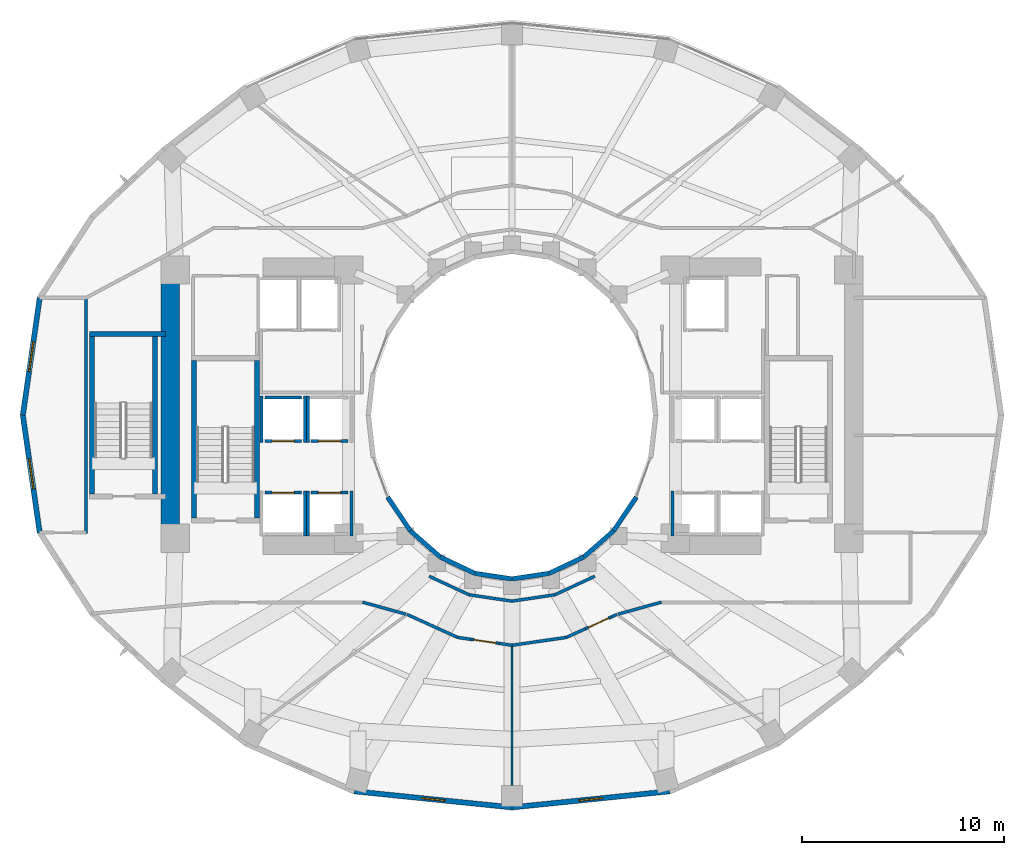
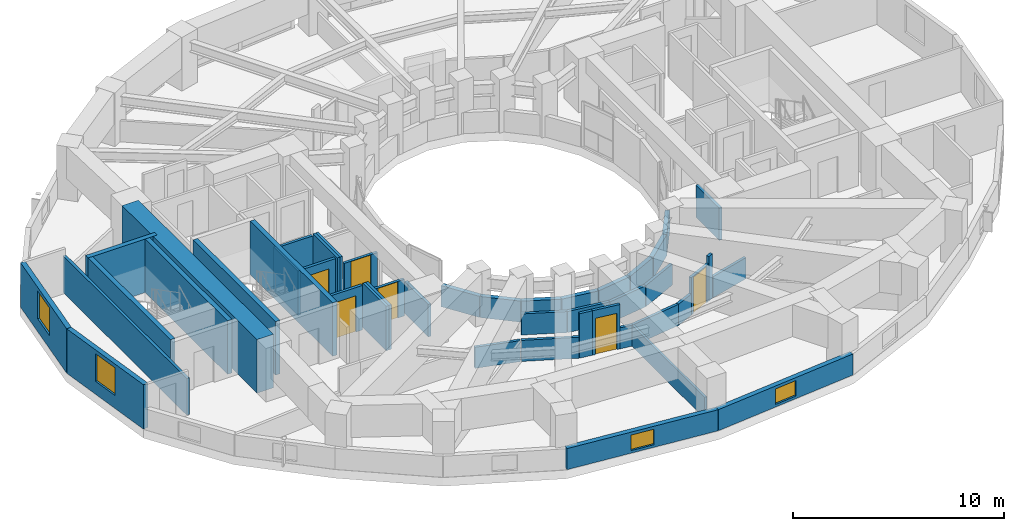
# One storey, part 12 of 19: 46 walls, 6 doors, 4 windows, 10 openings.
"""IFC4 building model written with IfcOpenShell, lengths in metres."""

from ifc_helpers import new_model, si_unit, direction, frame, frame_2d, origin, place, context, subcontext, project, spatial, rectangle, extrude, material, layer, layer_set, type_object, element, fill, save


model = new_model("IFC4")

# Units and contexts
model_context = context("Model", 3, precision=1e-05, world=origin(), true_north=direction((0.0, 1.0)))
body_context = subcontext(model_context, "Body", "Model", "MODEL_VIEW")
ifc_project = project(units=[si_unit("LENGTHUNIT", "METRE"), si_unit("AREAUNIT", "SQUARE_METRE"), si_unit("VOLUMEUNIT", "CUBIC_METRE"), si_unit("PLANEANGLEUNIT", "RADIAN"), si_unit("MASSUNIT", "GRAM", prefix="KILO")], contexts=[model_context])

# Site, building, storey
site_placement = place(None, origin())
site = spatial("IfcSite", under=ifc_project, at=site_placement, CompositionType="ELEMENT")
building_placement = place(site_placement, origin())
building = spatial("IfcBuilding", under=site, at=building_placement, Name="Solvane Sanctuary Tower", CompositionType="ELEMENT")
storey_placement = place(building_placement, frame((0.0, 0.0, 73.199951171875)))
storey = spatial("IfcBuildingStorey", under=building, at=storey_placement, Name="L21", CompositionType="ELEMENT", Elevation=73.199951171875)

# Walls
ifc_material_1 = material(Name="Concrete C70/85", Category="concrete")
ifc_layer_1 = layer(ifc_material_1, 0.89990234375, Name="Concrete C70/85")
ifc_layer_set_1 = layer_set([ifc_layer_1], Name="Concrete C70/85")
wall_type_1 = type_object("IfcWallType", Name="Wall W-CORE-900", PredefinedType="SHEAR", material=ifc_layer_set_1)
wall_1_placement = place(storey_placement, frame((15.050048828125, 17.050048828125, 0.0), z_axis=(0.0, 0.0, 1.0), x_axis=(0.0, 1.0, 0.0)))
element("IfcWall", 1, at=wall_1_placement, inside=storey, type_object=wall_type_1, Name="L21 Core Shear Wall WC-W", PredefinedType="SHEAR", context=body_context, shape_type="SweptSolid", body=[
    extrude(rectangle(XDim=12.800048828125, YDim=0.89990234375, at=frame_2d((6.39990234375, 0.0))), origin(), (0.0, 0.0, 1.0), 3.10009765625),
])
ifc_material_2 = material(Name="Acoustic Gypsum Partition Board")
ifc_layer_2 = layer(ifc_material_2, 0.14990234375, Name="Acoustic Gypsum Partition Board")
ifc_layer_set_2 = layer_set([ifc_layer_2], Name="Acoustic Gypsum Partition Board")
wall_type_2 = type_object("IfcWallType", Name="Wall W-CORR-150", PredefinedType="PARTITIONING", material=ifc_layer_set_2)
wall_2_placement = place(storey_placement, frame((27.889892578125, 15.01513671875, 0.0), z_axis=(0.0, 0.0, 1.0), x_axis=(0.906943449489, -0.421252393975, 0.0)))
element("IfcWall", 2, at=wall_2_placement, inside=storey, type_object=wall_type_2, Name="L21 Light-Well Corridor Rim Wall S1", PredefinedType="PARTITIONING", context=body_context, shape_type="SweptSolid", body=[
    extrude(rectangle(XDim=2.18603515625, YDim=0.14990234375, at=frame_2d((1.093017578125, 0.0))), origin(), (0.0, 0.0, 1.0), 1.219970703125),
])
for number, where, z_axis, x_axis, name in (
    (3, (29.87255859375, 14.09423828125, 0.0), (0.0, 0.0, 1.0), (0.989268584896, -0.146108408166, 0.0), "L21 Light-Well Corridor Rim Wall S2"),
    (4, (32.0, 13.780029296875, 0.0), (0.0, 0.0, 1.0), (0.989268584896, 0.146108408166, 0.0), "L21 Light-Well Corridor Rim Wall S3"),
):
    element("IfcWall", number, at=place(storey_placement, frame(where, z_axis=z_axis, x_axis=x_axis)), inside=storey, type_object=wall_type_2, Name=name, PredefinedType="PARTITIONING", context=body_context, shape_type="SweptSolid", body=[
        extrude(rectangle(XDim=2.150634765625, YDim=0.14990234375, at=frame_2d((1.0751953125, 0.0))), origin(), (0.0, 0.0, 1.0), 1.219970703125),
    ])
wall_3_placement = place(storey_placement, frame((34.12744140625, 14.09423828125, 0.0), z_axis=(0.0, 0.0, 1.0), x_axis=(0.906943449489, 0.421252393975, 0.0)))
element("IfcWall", 5, at=wall_3_placement, inside=storey, type_object=wall_type_2, Name="L21 Light-Well Corridor Rim Wall S4", PredefinedType="PARTITIONING", context=body_context, shape_type="SweptSolid", body=[
    extrude(rectangle(XDim=2.18603515625, YDim=0.14990234375, at=frame_2d((1.093017578125, 0.0))), origin(), (0.0, 0.0, 1.0), 1.219970703125),
])
wall_4_placement = place(storey_placement, frame((10.8798828125, 17.134765625, 0.0), z_axis=(0.0, 0.0, 1.0), x_axis=(0.0, 1.0, 0.0)))
element("IfcWall", 6, at=wall_4_placement, inside=storey, type_object=wall_type_2, Name="L21 West Shoulder Back Wall", PredefinedType="PARTITIONING", context=body_context, shape_type="SweptSolid", body=[
    extrude(rectangle(XDim=11.73046875, YDim=0.14990234375, at=frame_2d((5.865234375, 0.0))), origin(), (0.0, 0.0, 1.0), 2.1201171875),
])
for number, where, z_axis, x_axis, name in (
    (7, (26.741943359375, 13.13330078125, 0.0), (0.0, 0.0, 1.0), (-0.963833843713, 0.266503886865, 0.0), "L21 SW Corner Throat Wall"),
    (8, (37.258056640625, 13.13330078125, 0.0), (0.0, 0.0, 1.0), (0.963833843713, 0.266503886865, 0.0), "L21 SE Corner Throat Wall"),
):
    element("IfcWall", number, at=place(storey_placement, frame(where, z_axis=z_axis, x_axis=x_axis)), inside=storey, type_object=wall_type_2, Name=name, PredefinedType="PARTITIONING", context=body_context, shape_type="SweptSolid", body=[
        extrude(rectangle(XDim=2.231689453125, YDim=0.14990234375, at=frame_2d((1.11572265625, 0.0))), origin(), (0.0, 0.0, 1.0), 1.219970703125),
    ])
wall_5_placement = place(storey_placement, frame((26.788818359375, 13.12255859375, 0.0), z_axis=(0.0, 0.0, 1.0), x_axis=(0.910435980343, -0.413650003865, 0.0)))
element("IfcWall", 9, at=wall_5_placement, inside=storey, type_object=wall_type_2, Name="L21 Sky Promenade Corridor Wall S1", PredefinedType="PARTITIONING", context=body_context, shape_type="SweptSolid", body=[
    extrude(rectangle(XDim=2.766357421875, YDim=0.14990234375, at=frame_2d((1.38330078125, 0.0))), origin(), (0.0, 0.0, 1.0), 1.219970703125),
])
wall_6_placement = place(storey_placement, frame((29.303955078125, 11.979248046875, 0.0), z_axis=(0.0, 0.0, 1.0), x_axis=(0.989829975321, -0.142255474256, 0.0)))
element("IfcWall", 10, at=wall_6_placement, inside=storey, type_object=wall_type_2, Name="L21 Sky Promenade Corridor Wall S1", PredefinedType="PARTITIONING", context=body_context, shape_type="SweptSolid", body=[
    extrude(rectangle(XDim=0.655517578125, YDim=0.14990234375, at=frame_2d((0.32763671875, 0.0))), origin(), (0.0, 0.0, 1.0), 2.574951171875),
])

# Wall, opening, door
wall_7_placement = place(storey_placement, frame((29.952880859375, 11.885986328125, 0.0), z_axis=(0.0, 0.0, 1.0), x_axis=(0.98979070052, -0.142528485449, 0.0)))
wall_7 = element("IfcWall", 11, at=wall_7_placement, inside=storey, type_object=wall_type_2, Name="L21 Sky Promenade Corridor Wall S1", PredefinedType="PARTITIONING", context=body_context, shape_type="SweptSolid", body=[
    extrude(rectangle(XDim=1.419921875, YDim=0.14990234375, at=frame_2d((0.7099609375, 0.0))), origin(), (0.0, 0.0, 1.0), 2.574951171875),
])
opening_1_placement = place(wall_7_placement, frame((0.159912109375, 0.0, 0.0)))
opening_1 = element("IfcOpeningElement", 12, at=opening_1_placement, cuts=wall_7, Name="Opening D-L21-18", PredefinedType="OPENING", context=body_context, shape_type="SweptSolid", body=[
    extrude(rectangle(XDim=1.10009765625, YDim=2.10009765625, at=frame_2d((0.550048828125, 1.050048828125))), frame((0.0, 0.0849609375, 0.0), z_axis=(0.0, -1.0, 0.0), x_axis=(1.0, 0.0, 0.0)), (0.0, 0.0, 1.0), 0.169921875),
])
ifc_material_3 = material(Name="Architectural Stainless Steel 316", Category="steel")
door_type_1 = type_object("IfcDoorType", Name="Door D-FFL", OperationType="NOTDEFINED", PredefinedType="DOOR", material=ifc_material_3)
door_1_placement = place(opening_1_placement, origin())
door_1 = element("IfcDoor", 13, at=door_1_placement, inside=storey, type_object=door_type_1, Name="L21 Sky Hall Entrance Door S1", OperationType="SINGLE_SWING_LEFT", OverallHeight=2.10009765625, OverallWidth=1.10009765625, PredefinedType="DOOR", context=body_context, shape_type="SweptSolid", body=[
    extrude(rectangle(XDim=1.10009765625, YDim=2.10009765625, at=frame_2d((0.550048828125, 1.050048828125))), frame((0.0, 0.02490234375, 0.0), z_axis=(0.0, -1.0, 0.0), x_axis=(1.0, 0.0, 0.0)), (0.0, 0.0, 1.0), 0.050048828125),
])
fill(opening_1, door_1)

# Walls
wall_8_placement = place(storey_placement, frame((31.3583984375, 11.68359375, 0.0), z_axis=(0.0, 0.0, 1.0), x_axis=(0.989777474181, -0.142620305723, 0.0)))
element("IfcWall", 14, at=wall_8_placement, inside=storey, type_object=wall_type_2, Name="L21 Sky Promenade Corridor Wall S1", PredefinedType="PARTITIONING", context=body_context, shape_type="SweptSolid", body=[
    extrude(rectangle(XDim=0.655517578125, YDim=0.14990234375, at=frame_2d((0.32763671875, 0.0))), origin(), (0.0, 0.0, 1.0), 1.219970703125),
])
wall_9_placement = place(storey_placement, frame((31.99267578125, 11.590087890625, 0.0), z_axis=(0.0, 0.0, 1.0), x_axis=(0.989796962007, 0.142484995705, 0.0)))
element("IfcWall", 15, at=wall_9_placement, inside=storey, type_object=wall_type_2, Name="L21 Sky Promenade Corridor Wall S2", PredefinedType="PARTITIONING", context=body_context, shape_type="SweptSolid", body=[
    extrude(rectangle(XDim=2.731201171875, YDim=0.14990234375, at=frame_2d((1.36572265625, 0.0))), origin(), (0.0, 0.0, 1.0), 1.219970703125),
])
wall_10_placement = place(storey_placement, frame((34.692626953125, 11.978271484375, 0.0), z_axis=(0.0, 0.0, 1.0), x_axis=(0.910454535794, 0.413609161228, 0.0)))
element("IfcWall", 16, at=wall_10_placement, inside=storey, type_object=wall_type_2, Name="L21 Sky Promenade Corridor Wall S2", PredefinedType="PARTITIONING", context=body_context, shape_type="SweptSolid", body=[
    extrude(rectangle(XDim=1.044189453125, YDim=0.14990234375, at=frame_2d((0.52197265625, 0.0))), origin(), (0.0, 0.0, 1.0), 1.219970703125),
])

# Wall, opening, door
wall_11_placement = place(storey_placement, frame((35.643310546875, 12.41015625, 0.0), z_axis=(0.0, 0.0, 1.0), x_axis=(0.910419465037, 0.413686351819, 0.0)))
wall_11 = element("IfcWall", 17, at=wall_11_placement, inside=storey, type_object=wall_type_2, Name="L21 Sky Promenade Corridor Wall S2", PredefinedType="PARTITIONING", context=body_context, shape_type="SweptSolid", body=[
    extrude(rectangle(XDim=1.419921875, YDim=0.14990234375, at=frame_2d((0.7099609375, 0.0))), origin(), (0.0, 0.0, 1.0), 2.16015625),
])
opening_2_placement = place(wall_11_placement, frame((0.159912109375, 0.0, 0.0)))
opening_2 = element("IfcOpeningElement", 18, at=opening_2_placement, cuts=wall_11, Name="Opening D-L21-19", PredefinedType="OPENING", context=body_context, shape_type="SweptSolid", body=[
    extrude(rectangle(XDim=1.10009765625, YDim=2.10009765625, at=frame_2d((0.550048828125, 1.050048828125))), frame((0.0, 0.0849609375, 0.0), z_axis=(0.0, -1.0, 0.0), x_axis=(1.0, 0.0, 0.0)), (0.0, 0.0, 1.0), 0.169921875),
])
door_2_placement = place(opening_2_placement, origin())
door_2 = element("IfcDoor", 19, at=door_2_placement, inside=storey, type_object=door_type_1, Name="L21 Sky Hall Entrance Door S2", OperationType="SINGLE_SWING_RIGHT", OverallHeight=2.10009765625, OverallWidth=1.10009765625, PredefinedType="DOOR", context=body_context, shape_type="SweptSolid", body=[
    extrude(rectangle(XDim=1.10009765625, YDim=2.10009765625, at=frame_2d((0.550048828125, 1.050048828125))), frame((0.0, 0.02490234375, 0.0), z_axis=(0.0, -1.0, 0.0), x_axis=(1.0, 0.0, 0.0)), (0.0, 0.0, 1.0), 0.050048828125),
])
fill(opening_2, door_2)

# Wall
wall_12_placement = place(storey_placement, frame((36.93603515625, 12.99755859375, 0.0), z_axis=(0.0, 0.0, 1.0), x_axis=(0.910449457667, 0.413620339242, 0.0)))
element("IfcWall", 20, at=wall_12_placement, inside=storey, type_object=wall_type_2, Name="L21 Sky Promenade Corridor Wall S2", PredefinedType="PARTITIONING", context=body_context, shape_type="SweptSolid", body=[
    extrude(rectangle(XDim=0.30224609375, YDim=0.14990234375, at=frame_2d((0.151123046875, 0.0))), origin(), (0.0, 0.0, 1.0), 2.574951171875),
])

# Wall, opening, window
ifc_material_4 = material(Name="Precast concrete C40/50", Category="concrete")
ifc_layer_3 = layer(ifc_material_4, 0.260009765625, Name="Precast concrete C40/50")
ifc_layer_set_3 = layer_set([ifc_layer_3], Name="Precast concrete C40/50")
wall_type_3 = type_object("IfcWallType", Name="Wall W-EXT-250", PredefinedType="STANDARD", material=ifc_layer_set_3)
wall_13_placement = place(storey_placement, frame((8.578125, 28.818603515625, 0.0), z_axis=(0.0, 0.0, 1.0), x_axis=(-0.142572472068, -0.98978436551, 0.0)))
wall_13 = element("IfcWall", 21, at=wall_13_placement, inside=storey, type_object=wall_type_3, Name="L21 Ceramic-Printed Facade Wall 11", PredefinedType="STANDARD", context=body_context, shape_type="SweptSolid", body=[
    extrude(rectangle(XDim=5.878662109375, YDim=0.260009765625, at=frame_2d((2.939453125, 0.0))), origin(), (0.0, 0.0, 1.0), 2.570068359375),
])
opening_3_placement = place(wall_13_placement, frame((2.189453125, 0.0, 0.75)))
opening_3 = element("IfcOpeningElement", 22, at=opening_3_placement, cuts=wall_13, Name="Opening WN-OPER-1500", PredefinedType="OPENING", context=body_context, shape_type="SweptSolid", body=[
    extrude(rectangle(XDim=1.5, YDim=1.60009765625, at=frame_2d((0.75, 0.800048828125))), frame((0.0, 0.139892578125, 0.0), z_axis=(0.0, -1.0, 0.0), x_axis=(1.0, 0.0, 0.0)), (0.0, 0.0, 1.0), 0.280029296875),
])
ifc_material_5 = material(Name="Dark Ceramic-Fritted Low-E Glass", Category="glass")
window_type_1 = type_object("IfcWindowType", Name="Window WN-OPER-1500", PartitioningType="SINGLE_PANEL", PredefinedType="WINDOW", material=ifc_material_5)
window_1_placement = place(opening_3_placement, origin())
window_1 = element("IfcWindow", 23, at=window_1_placement, inside=storey, type_object=window_type_1, Name="L21 Operable Facade Window 11", OverallHeight=1.60009765625, OverallWidth=1.5, PartitioningType="SINGLE_PANEL", PredefinedType="WINDOW", context=body_context, shape_type="SweptSolid", body=[
    extrude(rectangle(XDim=1.5, YDim=1.60009765625, at=frame_2d((0.75, 0.800048828125))), frame((0.0, 0.030029296875, 0.0), z_axis=(0.0, -1.0, 0.0), x_axis=(1.0, 0.0, 0.0)), (0.0, 0.0, 1.0), 0.06005859375),
])
fill(opening_3, window_1)

wall_14_placement = place(storey_placement, frame((7.739990234375, 23.0, 0.0), z_axis=(0.0, 0.0, 1.0), x_axis=(0.142572472068, -0.98978436551, 0.0)))
wall_14 = element("IfcWall", 24, at=wall_14_placement, inside=storey, type_object=wall_type_3, Name="L21 Ceramic-Printed Facade Wall 12", PredefinedType="STANDARD", context=body_context, shape_type="SweptSolid", body=[
    extrude(rectangle(XDim=5.878662109375, YDim=0.260009765625, at=frame_2d((2.939453125, 0.0))), origin(), (0.0, 0.0, 1.0), 2.570068359375),
])
opening_4_placement = place(wall_14_placement, frame((2.189453125, 0.0, 0.75)))
opening_4 = element("IfcOpeningElement", 25, at=opening_4_placement, cuts=wall_14, Name="Opening WN-OPER-1500", PredefinedType="OPENING", context=body_context, shape_type="SweptSolid", body=[
    extrude(rectangle(XDim=1.5, YDim=1.60009765625, at=frame_2d((0.75, 0.800048828125))), frame((0.0, 0.139892578125, 0.0), z_axis=(0.0, -1.0, 0.0), x_axis=(1.0, 0.0, 0.0)), (0.0, 0.0, 1.0), 0.280029296875),
])
window_2_placement = place(opening_4_placement, origin())
window_2 = element("IfcWindow", 26, at=window_2_placement, inside=storey, type_object=window_type_1, Name="L21 Operable Facade Window 12", OverallHeight=1.60009765625, OverallWidth=1.5, PartitioningType="SINGLE_PANEL", PredefinedType="WINDOW", context=body_context, shape_type="SweptSolid", body=[
    extrude(rectangle(XDim=1.5, YDim=1.60009765625, at=frame_2d((0.75, 0.800048828125))), frame((0.0, 0.030029296875, 0.0), z_axis=(0.0, -1.0, 0.0), x_axis=(1.0, 0.0, 0.0)), (0.0, 0.0, 1.0), 0.06005859375),
])
fill(opening_4, window_2)

wall_15_placement = place(storey_placement, frame((24.18359375, 4.349365234375, 0.0), z_axis=(0.0, 0.0, 1.0), x_axis=(0.994821390558, -0.101638579726, 0.0)))
wall_15 = element("IfcWall", 27, at=wall_15_placement, inside=storey, type_object=wall_type_3, Name="L21 Ceramic-Printed Facade Wall 17", PredefinedType="STANDARD", context=body_context, shape_type="SweptSolid", body=[
    extrude(rectangle(XDim=7.857177734375, YDim=0.260009765625, at=frame_2d((3.9287109375, 0.0))), origin(), (0.0, 0.0, 1.0), 1.219970703125),
])
opening_5_placement = place(wall_15_placement, frame((3.32861328125, 0.0, 0.14990234375)))
opening_5 = element("IfcOpeningElement", 28, at=opening_5_placement, cuts=wall_15, Name="Opening WN-OPER-1200", PredefinedType="OPENING", context=body_context, shape_type="SweptSolid", body=[
    extrude(rectangle(XDim=1.199951171875, YDim=0.89990234375, at=frame_2d((0.60009765625, 0.449951171875))), frame((0.0, 0.139892578125, 0.0), z_axis=(0.0, -1.0, 0.0), x_axis=(1.0, 0.0, 0.0)), (0.0, 0.0, 1.0), 0.280029296875),
])
window_type_2 = type_object("IfcWindowType", Name="Window WN-OPER-1200", PartitioningType="SINGLE_PANEL", PredefinedType="WINDOW", material=ifc_material_5)
window_3_placement = place(opening_5_placement, origin())
window_3 = element("IfcWindow", 29, at=window_3_placement, inside=storey, type_object=window_type_2, Name="L21 Operable Facade Window 17", OverallHeight=0.89990234375, OverallWidth=1.199951171875, PartitioningType="SINGLE_PANEL", PredefinedType="WINDOW", context=body_context, shape_type="SweptSolid", body=[
    extrude(rectangle(XDim=1.199951171875, YDim=0.89990234375, at=frame_2d((0.60009765625, 0.449951171875))), frame((0.0, 0.030029296875, 0.0), z_axis=(0.0, -1.0, 0.0), x_axis=(1.0, 0.0, 0.0)), (0.0, 0.0, 1.0), 0.06005859375),
])
fill(opening_5, window_3)

wall_16_placement = place(storey_placement, frame((32.0, 3.55078125, 0.0), z_axis=(0.0, 0.0, 1.0), x_axis=(0.994821390558, 0.101638579726, 0.0)))
wall_16 = element("IfcWall", 30, at=wall_16_placement, inside=storey, type_object=wall_type_3, Name="L21 Ceramic-Printed Facade Wall 18", PredefinedType="STANDARD", context=body_context, shape_type="SweptSolid", body=[
    extrude(rectangle(XDim=7.857177734375, YDim=0.260009765625, at=frame_2d((3.9287109375, 0.0))), origin(), (0.0, 0.0, 1.0), 1.219970703125),
])
opening_6_placement = place(wall_16_placement, frame((3.32861328125, 0.0, 0.14990234375)))
opening_6 = element("IfcOpeningElement", 31, at=opening_6_placement, cuts=wall_16, Name="Opening WN-OPER-1200", PredefinedType="OPENING", context=body_context, shape_type="SweptSolid", body=[
    extrude(rectangle(XDim=1.199951171875, YDim=0.89990234375, at=frame_2d((0.60009765625, 0.449951171875))), frame((0.0, 0.139892578125, 0.0), z_axis=(0.0, -1.0, 0.0), x_axis=(1.0, 0.0, 0.0)), (0.0, 0.0, 1.0), 0.280029296875),
])
window_4_placement = place(opening_6_placement, origin())
window_4 = element("IfcWindow", 32, at=window_4_placement, inside=storey, type_object=window_type_2, Name="L21 Operable Facade Window 18", OverallHeight=0.89990234375, OverallWidth=1.199951171875, PartitioningType="SINGLE_PANEL", PredefinedType="WINDOW", context=body_context, shape_type="SweptSolid", body=[
    extrude(rectangle(XDim=1.199951171875, YDim=0.89990234375, at=frame_2d((0.60009765625, 0.449951171875))), frame((0.0, 0.030029296875, 0.0), z_axis=(0.0, -1.0, 0.0), x_axis=(1.0, 0.0, 0.0)), (0.0, 0.0, 1.0), 0.06005859375),
])
fill(opening_6, window_4)

# Walls
ifc_layer_4 = layer(ifc_material_4, 0.22998046875, Name="Precast concrete C40/50")
ifc_layer_set_4 = layer_set([ifc_layer_4], Name="Precast concrete C40/50")
wall_type_4 = type_object("IfcWallType", Name="Wall W-EXT-SP220", PredefinedType="STANDARD", material=ifc_layer_set_4)
wall_17_placement = place(storey_placement, frame((25.833984375, 18.93994140625, 0.0), z_axis=(0.0, 0.0, 1.0), x_axis=(0.558197800898, -0.829707909492, 0.0)))
element("IfcWall", 33, at=wall_17_placement, inside=storey, type_object=wall_type_4, Name="L21 Central Light-Well Wall 14", PredefinedType="STANDARD", context=body_context, shape_type="SweptSolid", body=[
    extrude(rectangle(XDim=2.02685546875, YDim=0.22998046875, at=frame_2d((1.013427734375, 0.0))), origin(), (0.0, 0.0, 1.0), 1.219970703125),
])
wall_18_placement = place(storey_placement, frame((26.96533203125, 17.25830078125, 0.0), z_axis=(0.0, 0.0, 1.0), x_axis=(0.752576694707, -0.658504607869, 0.0)))
element("IfcWall", 34, at=wall_18_placement, inside=storey, type_object=wall_type_4, Name="L21 Central Light-Well Wall 15", PredefinedType="STANDARD", context=body_context, shape_type="SweptSolid", body=[
    extrude(rectangle(XDim=1.95947265625, YDim=0.22998046875, at=frame_2d((0.979736328125, 0.0))), origin(), (0.0, 0.0, 1.0), 1.219970703125),
])
wall_19_placement = place(storey_placement, frame((28.43994140625, 15.968017578125, 0.0), z_axis=(0.0, 0.0, 1.0), x_axis=(0.904179699603, -0.427152280606, 0.0)))
element("IfcWall", 35, at=wall_19_placement, inside=storey, type_object=wall_type_4, Name="L21 Central Light-Well Wall 16", PredefinedType="STANDARD", context=body_context, shape_type="SweptSolid", body=[
    extrude(rectangle(XDim=1.899169921875, YDim=0.22998046875, at=frame_2d((0.94970703125, 0.0))), origin(), (0.0, 0.0, 1.0), 1.219970703125),
])
for number, where, z_axis, x_axis, name in (
    (36, (30.1572265625, 15.15673828125, 0.0), (0.0, 0.0, 1.0), (0.988901730308, -0.148571086668, 0.0), "L21 Central Light-Well Wall 17"),
    (37, (32.0, 14.8798828125, 0.0), (0.0, 0.0, 1.0), (0.988901730308, 0.148571086668, 0.0), "L21 Central Light-Well Wall 18"),
):
    element("IfcWall", number, at=place(storey_placement, frame(where, z_axis=z_axis, x_axis=x_axis)), inside=storey, type_object=wall_type_4, Name=name, PredefinedType="STANDARD", context=body_context, shape_type="SweptSolid", body=[
        extrude(rectangle(XDim=1.863525390625, YDim=0.22998046875, at=frame_2d((0.931640625, 0.0))), origin(), (0.0, 0.0, 1.0), 1.219970703125),
    ])
wall_20_placement = place(storey_placement, frame((33.8427734375, 15.15673828125, 0.0), z_axis=(0.0, 0.0, 1.0), x_axis=(0.904179699603, 0.427152280606, 0.0)))
element("IfcWall", 38, at=wall_20_placement, inside=storey, type_object=wall_type_4, Name="L21 Central Light-Well Wall 19", PredefinedType="STANDARD", context=body_context, shape_type="SweptSolid", body=[
    extrude(rectangle(XDim=1.899169921875, YDim=0.22998046875, at=frame_2d((0.94970703125, 0.0))), origin(), (0.0, 0.0, 1.0), 1.219970703125),
])
wall_21_placement = place(storey_placement, frame((35.56005859375, 15.968017578125, 0.0), z_axis=(0.0, 0.0, 1.0), x_axis=(0.752576694707, 0.658504607869, 0.0)))
element("IfcWall", 39, at=wall_21_placement, inside=storey, type_object=wall_type_4, Name="L21 Central Light-Well Wall 20", PredefinedType="STANDARD", context=body_context, shape_type="SweptSolid", body=[
    extrude(rectangle(XDim=1.95947265625, YDim=0.22998046875, at=frame_2d((0.979736328125, 0.0))), origin(), (0.0, 0.0, 1.0), 1.219970703125),
])
wall_22_placement = place(storey_placement, frame((37.03466796875, 17.25830078125, 0.0), z_axis=(0.0, 0.0, 1.0), x_axis=(0.558197800898, 0.829707909492, 0.0)))
element("IfcWall", 40, at=wall_22_placement, inside=storey, type_object=wall_type_4, Name="L21 Central Light-Well Wall 21", PredefinedType="STANDARD", context=body_context, shape_type="SweptSolid", body=[
    extrude(rectangle(XDim=2.02685546875, YDim=0.22998046875, at=frame_2d((1.013427734375, 0.0))), origin(), (0.0, 0.0, 1.0), 1.219970703125),
])
ifc_layer_5 = layer(ifc_material_2, 0.1201171875, Name="Acoustic Gypsum Partition Board")
ifc_layer_set_5 = layer_set([ifc_layer_5], Name="Acoustic Gypsum Partition Board")
wall_type_5 = type_object("IfcWallType", Name="Wall W-MOV-100", PredefinedType="MOVABLE", material=ifc_layer_set_5)
wall_23_placement = place(storey_placement, frame((32.0, 11.534912109375, 0.0), z_axis=(0.0, 0.0, 1.0), x_axis=(0.0, -1.0, 0.0)))
element("IfcWall", 41, at=wall_23_placement, inside=storey, type_object=wall_type_5, Name="L21 Sky Hall Radial Partition 270", PredefinedType="MOVABLE", context=body_context, shape_type="SweptSolid", body=[
    extrude(rectangle(XDim=6.909912109375, YDim=0.1201171875, at=frame_2d((3.455078125, 0.0))), origin(), (0.0, 0.0, 1.0), 1.219970703125),
])

# Wall, opening, door
ifc_material_6 = material(Name="Concrete C50/60", Category="concrete")
ifc_layer_6 = layer(ifc_material_6, 0.14990234375, Name="Concrete C50/60")
ifc_layer_set_6 = layer_set([ifc_layer_6], Name="Concrete C50/60")
wall_type_6 = type_object("IfcWallType", Name="Wall W-SHAFT-150", PredefinedType="SOLIDWALL", material=ifc_layer_set_6)
wall_24_placement = place(storey_placement, frame((19.739990234375, 19.159912109375, 0.0), z_axis=(0.0, 0.0, 1.0), x_axis=(1.0, 0.0, 0.0)))
wall_24 = element("IfcWall", 42, at=wall_24_placement, inside=storey, type_object=wall_type_6, Name="L21 PL-1 Lift Shaft Wall F", PredefinedType="SOLIDWALL", context=body_context, shape_type="SweptSolid", body=[
    extrude(rectangle(XDim=1.820068359375, YDim=0.14990234375, at=frame_2d((0.91015625, 0.0))), origin(), (0.0, 0.0, 1.0), 2.574951171875),
])
opening_7_placement = place(wall_24_placement, frame((0.360107421875, 0.0, 0.0)))
opening_7 = element("IfcOpeningElement", 43, at=opening_7_placement, cuts=wall_24, Name="Opening LD-L21-01", PredefinedType="OPENING", context=body_context, shape_type="SweptSolid", body=[
    extrude(rectangle(XDim=1.10009765625, YDim=2.10009765625, at=frame_2d((0.550048828125, 1.050048828125))), frame((0.0, 0.0849609375, 0.0), z_axis=(0.0, -1.0, 0.0), x_axis=(1.0, 0.0, 0.0)), (0.0, 0.0, 1.0), 0.169921875),
])
door_type_2 = type_object("IfcDoorType", Name="Door LD-PASS-1100", OperationType="NOTDEFINED", PredefinedType="DOOR", material=ifc_material_3)
door_3_placement = place(opening_7_placement, origin())
door_3 = element("IfcDoor", 44, at=door_3_placement, inside=storey, type_object=door_type_2, Name="L21 PL-1 Lift Landing Door", OperationType="DOUBLE_DOOR_SLIDING", OverallHeight=2.10009765625, OverallWidth=1.10009765625, PredefinedType="DOOR", context=body_context, shape_type="SweptSolid", body=[
    extrude(rectangle(XDim=1.10009765625, YDim=2.10009765625, at=frame_2d((0.550048828125, 1.050048828125))), frame((0.0, 0.02490234375, 0.0), z_axis=(0.0, -1.0, 0.0), x_axis=(1.0, 0.0, 0.0)), (0.0, 0.0, 1.0), 0.050048828125),
])
fill(opening_7, door_3)

# Wall
wall_25_placement = place(storey_placement, frame((21.72998046875, 17.02001953125, 0.0), z_axis=(0.0, 0.0, 1.0), x_axis=(0.0, 1.0, 0.0)))
element("IfcWall", 45, at=wall_25_placement, inside=storey, type_object=wall_type_6, Name="L21 PL-1 Lift Shaft Wall S2", PredefinedType="SOLIDWALL", context=body_context, shape_type="SweptSolid", body=[
    extrude(rectangle(XDim=2.219970703125, YDim=0.14990234375, at=frame_2d((1.10986328125, 0.0))), origin(), (0.0, 0.0, 1.0), 2.574951171875),
])

# Wall, opening, door
wall_26_placement = place(storey_placement, frame((22.0400390625, 19.159912109375, 0.0), z_axis=(0.0, 0.0, 1.0), x_axis=(1.0, 0.0, 0.0)))
wall_26 = element("IfcWall", 46, at=wall_26_placement, inside=storey, type_object=wall_type_6, Name="L21 PL-2 Lift Shaft Wall F", PredefinedType="SOLIDWALL", context=body_context, shape_type="SweptSolid", body=[
    extrude(rectangle(XDim=1.820068359375, YDim=0.14990234375, at=frame_2d((0.91015625, 0.0))), origin(), (0.0, 0.0, 1.0), 2.1201171875),
])
opening_8_placement = place(wall_26_placement, frame((0.360107421875, 0.0, 0.0)))
opening_8 = element("IfcOpeningElement", 47, at=opening_8_placement, cuts=wall_26, Name="Opening LD-L21-02", PredefinedType="OPENING", context=body_context, shape_type="SweptSolid", body=[
    extrude(rectangle(XDim=1.10009765625, YDim=2.10009765625, at=frame_2d((0.550048828125, 1.050048828125))), frame((0.0, 0.0849609375, 0.0), z_axis=(0.0, -1.0, 0.0), x_axis=(1.0, 0.0, 0.0)), (0.0, 0.0, 1.0), 0.169921875),
])
door_4_placement = place(opening_8_placement, origin())
door_4 = element("IfcDoor", 48, at=door_4_placement, inside=storey, type_object=door_type_2, Name="L21 PL-2 Lift Landing Door", OperationType="DOUBLE_DOOR_SLIDING", OverallHeight=2.10009765625, OverallWidth=1.10009765625, PredefinedType="DOOR", context=body_context, shape_type="SweptSolid", body=[
    extrude(rectangle(XDim=1.10009765625, YDim=2.10009765625, at=frame_2d((0.550048828125, 1.050048828125))), frame((0.0, 0.02490234375, 0.0), z_axis=(0.0, -1.0, 0.0), x_axis=(1.0, 0.0, 0.0)), (0.0, 0.0, 1.0), 0.050048828125),
])
fill(opening_8, door_4)

# Walls
wall_27_placement = place(storey_placement, frame((21.8701171875, 17.02001953125, 0.0), z_axis=(0.0, 0.0, 1.0), x_axis=(0.0, 1.0, 0.0)))
element("IfcWall", 49, at=wall_27_placement, inside=storey, type_object=wall_type_6, Name="L21 PL-2 Lift Shaft Wall S1", PredefinedType="SOLIDWALL", context=body_context, shape_type="SweptSolid", body=[
    extrude(rectangle(XDim=2.219970703125, YDim=0.14990234375, at=frame_2d((1.10986328125, 0.0))), origin(), (0.0, 0.0, 1.0), 2.574951171875),
])
for number, where, z_axis, x_axis, name in (
    (50, (24.030029296875, 17.02001953125, 0.0), (0.0, 0.0, 1.0), (0.0, 1.0, 0.0), "L21 PL-2 Lift Shaft Wall S2"),
    (51, (39.969970703125, 17.02001953125, 0.0), (0.0, 0.0, 1.0), (0.0, 1.0, 0.0), "L21 PL-3 Lift Shaft Wall S1"),
):
    element("IfcWall", number, at=place(storey_placement, frame(where, z_axis=z_axis, x_axis=x_axis)), inside=storey, type_object=wall_type_6, Name=name, PredefinedType="SOLIDWALL", context=body_context, shape_type="SweptSolid", body=[
        extrude(rectangle(XDim=2.219970703125, YDim=0.14990234375, at=frame_2d((1.10986328125, 0.0))), origin(), (0.0, 0.0, 1.0), 1.873046875),
    ])

# Wall, opening, door
wall_28_placement = place(storey_placement, frame((19.739990234375, 21.719970703125, 0.0), z_axis=(0.0, 0.0, 1.0), x_axis=(1.0, 0.0, 0.0)))
wall_28 = element("IfcWall", 52, at=wall_28_placement, inside=storey, type_object=wall_type_6, Name="L21 PM-1 Lift Shaft Wall F", PredefinedType="SOLIDWALL", context=body_context, shape_type="SweptSolid", body=[
    extrude(rectangle(XDim=1.820068359375, YDim=0.14990234375, at=frame_2d((0.91015625, 0.0))), origin(), (0.0, 0.0, 1.0), 2.574951171875),
])
opening_9_placement = place(wall_28_placement, frame((0.360107421875, 0.0, 0.0)))
opening_9 = element("IfcOpeningElement", 53, at=opening_9_placement, cuts=wall_28, Name="Opening LD-L21-05", PredefinedType="OPENING", context=body_context, shape_type="SweptSolid", body=[
    extrude(rectangle(XDim=1.10009765625, YDim=2.10009765625, at=frame_2d((0.550048828125, 1.050048828125))), frame((0.0, 0.0849609375, 0.0), z_axis=(0.0, -1.0, 0.0), x_axis=(1.0, 0.0, 0.0)), (0.0, 0.0, 1.0), 0.169921875),
])
door_5_placement = place(opening_9_placement, origin())
door_5 = element("IfcDoor", 54, at=door_5_placement, inside=storey, type_object=door_type_2, Name="L21 PM-1 Lift Landing Door", OperationType="DOUBLE_DOOR_SLIDING", OverallHeight=2.10009765625, OverallWidth=1.10009765625, PredefinedType="DOOR", context=body_context, shape_type="SweptSolid", body=[
    extrude(rectangle(XDim=1.10009765625, YDim=2.10009765625, at=frame_2d((0.550048828125, 1.050048828125))), frame((0.0, 0.02490234375, 0.0), z_axis=(0.0, -1.0, 0.0), x_axis=(1.0, 0.0, 0.0)), (0.0, 0.0, 1.0), 0.050048828125),
])
fill(opening_9, door_5)

# Walls
wall_29_placement = place(storey_placement, frame((19.739990234375, 23.8798828125, 0.0), z_axis=(0.0, 0.0, 1.0), x_axis=(1.0, 0.0, 0.0)))
element("IfcWall", 55, at=wall_29_placement, inside=storey, type_object=wall_type_6, Name="L21 PM-1 Lift Shaft Wall B", PredefinedType="SOLIDWALL", context=body_context, shape_type="SweptSolid", body=[
    extrude(rectangle(XDim=1.820068359375, YDim=0.14990234375, at=frame_2d((0.91015625, 0.0))), origin(), (0.0, 0.0, 1.0), 2.574951171875),
])
for number, where, z_axis, x_axis, name in (
    (56, (19.570068359375, 21.639892578125, 0.0), (0.0, 0.0, 1.0), (0.0, 1.0, 0.0), "L21 PM-1 Lift Shaft Wall S1"),
    (57, (21.72998046875, 21.639892578125, 0.0), (0.0, 0.0, 1.0), (0.0, 1.0, 0.0), "L21 PM-1 Lift Shaft Wall S2"),
):
    element("IfcWall", number, at=place(storey_placement, frame(where, z_axis=z_axis, x_axis=x_axis)), inside=storey, type_object=wall_type_6, Name=name, PredefinedType="SOLIDWALL", context=body_context, shape_type="SweptSolid", body=[
        extrude(rectangle(XDim=2.320068359375, YDim=0.14990234375, at=frame_2d((1.16015625, 0.0))), origin(), (0.0, 0.0, 1.0), 2.574951171875),
    ])

# Wall, opening, door
wall_30_placement = place(storey_placement, frame((22.0400390625, 21.719970703125, 0.0), z_axis=(0.0, 0.0, 1.0), x_axis=(1.0, 0.0, 0.0)))
wall_30 = element("IfcWall", 58, at=wall_30_placement, inside=storey, type_object=wall_type_6, Name="L21 PH-1 Lift Shaft Wall F", PredefinedType="SOLIDWALL", context=body_context, shape_type="SweptSolid", body=[
    extrude(rectangle(XDim=1.820068359375, YDim=0.14990234375, at=frame_2d((0.91015625, 0.0))), origin(), (0.0, 0.0, 1.0), 2.1201171875),
])
opening_10_placement = place(wall_30_placement, frame((0.360107421875, 0.0, 0.0)))
opening_10 = element("IfcOpeningElement", 59, at=opening_10_placement, cuts=wall_30, Name="Opening LD-L21-07", PredefinedType="OPENING", context=body_context, shape_type="SweptSolid", body=[
    extrude(rectangle(XDim=1.10009765625, YDim=2.10009765625, at=frame_2d((0.550048828125, 1.050048828125))), frame((0.0, 0.0849609375, 0.0), z_axis=(0.0, -1.0, 0.0), x_axis=(1.0, 0.0, 0.0)), (0.0, 0.0, 1.0), 0.169921875),
])
door_6_placement = place(opening_10_placement, origin())
door_6 = element("IfcDoor", 60, at=door_6_placement, inside=storey, type_object=door_type_2, Name="L21 PH-1 Lift Landing Door", OperationType="DOUBLE_DOOR_SLIDING", OverallHeight=2.10009765625, OverallWidth=1.10009765625, PredefinedType="DOOR", context=body_context, shape_type="SweptSolid", body=[
    extrude(rectangle(XDim=1.10009765625, YDim=2.10009765625, at=frame_2d((0.550048828125, 1.050048828125))), frame((0.0, 0.02490234375, 0.0), z_axis=(0.0, -1.0, 0.0), x_axis=(1.0, 0.0, 0.0)), (0.0, 0.0, 1.0), 0.050048828125),
])
fill(opening_10, door_6)

# Walls
wall_31_placement = place(storey_placement, frame((21.8701171875, 21.639892578125, 0.0), z_axis=(0.0, 0.0, 1.0), x_axis=(0.0, 1.0, 0.0)))
element("IfcWall", 61, at=wall_31_placement, inside=storey, type_object=wall_type_6, Name="L21 PH-1 Lift Shaft Wall S1", PredefinedType="SOLIDWALL", context=body_context, shape_type="SweptSolid", body=[
    extrude(rectangle(XDim=2.320068359375, YDim=0.14990234375, at=frame_2d((1.16015625, 0.0))), origin(), (0.0, 0.0, 1.0), 2.574951171875),
])
ifc_layer_7 = layer(ifc_material_6, 0.25, Name="Concrete C50/60")
ifc_layer_set_7 = layer_set([ifc_layer_7], Name="Concrete C50/60")
wall_type_7 = type_object("IfcWallType", Name="Wall W-SHAFT-250", PredefinedType="SOLIDWALL", material=ifc_layer_set_7)
for number, where, z_axis, x_axis, name in (
    (62, (16.22998046875, 17.89501953125, 0.0), (0.0, 0.0, 1.0), (0.0, 1.0, 0.0), "L21 ST-1 Load-Bearing Shaft Wall W"),
    (63, (19.35009765625, 17.89501953125, 0.0), (0.0, 0.0, 1.0), (0.0, 1.0, 0.0), "L21 ST-1 Load-Bearing Shaft Wall E"),
):
    element("IfcWall", number, at=place(storey_placement, frame(where, z_axis=z_axis, x_axis=x_axis)), inside=storey, type_object=wall_type_7, Name=name, PredefinedType="SOLIDWALL", context=body_context, shape_type="SweptSolid", body=[
        extrude(rectangle(XDim=7.81005859375, YDim=0.25, at=frame_2d((3.905029296875, 0.0))), origin(), (0.0, 0.0, 1.0), 3.10009765625),
    ])
wall_32_placement = place(storey_placement, frame((11.044921875, 27.030029296875, 0.0), z_axis=(0.0, 0.0, 1.0), x_axis=(1.0, 0.0, 0.0)))
element("IfcWall", 64, at=wall_32_placement, inside=storey, type_object=wall_type_7, Name="L21 ST-3 Load-Bearing Shaft Wall N", PredefinedType="SOLIDWALL", context=body_context, shape_type="SweptSolid", body=[
    extrude(rectangle(XDim=3.781982421875, YDim=0.25, at=frame_2d((1.89111328125, 0.0))), origin(), (0.0, 0.0, 1.0), 3.10009765625),
])
for number, where, z_axis, x_axis, name in (
    (65, (11.169921875, 19.094970703125, 0.0), (0.0, 0.0, 1.0), (0.0, 1.0, 0.0), "L21 ST-3 Load-Bearing Shaft Wall W"),
    (66, (14.2900390625, 19.094970703125, 0.0), (0.0, 0.0, 1.0), (0.0, 1.0, 0.0), "L21 ST-3 Load-Bearing Shaft Wall E"),
):
    element("IfcWall", number, at=place(storey_placement, frame(where, z_axis=z_axis, x_axis=x_axis)), inside=storey, type_object=wall_type_7, Name=name, PredefinedType="SOLIDWALL", context=body_context, shape_type="SweptSolid", body=[
        extrude(rectangle(XDim=7.81005859375, YDim=0.25, at=frame_2d((3.905029296875, 0.0))), origin(), (0.0, 0.0, 1.0), 3.10009765625),
    ])

save(model, "model.ifc")
